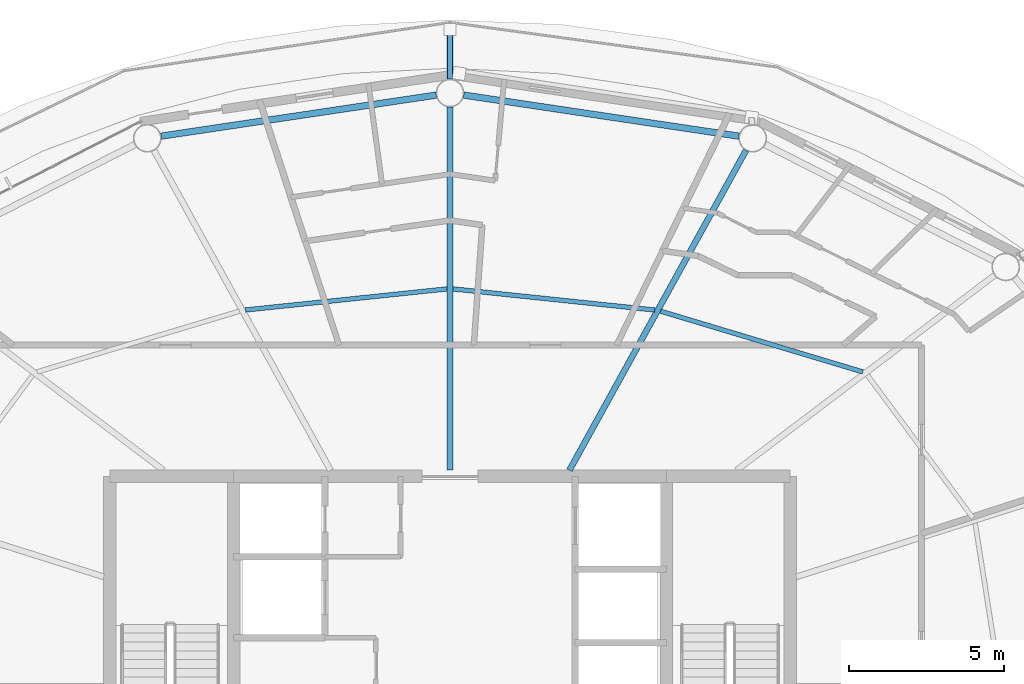
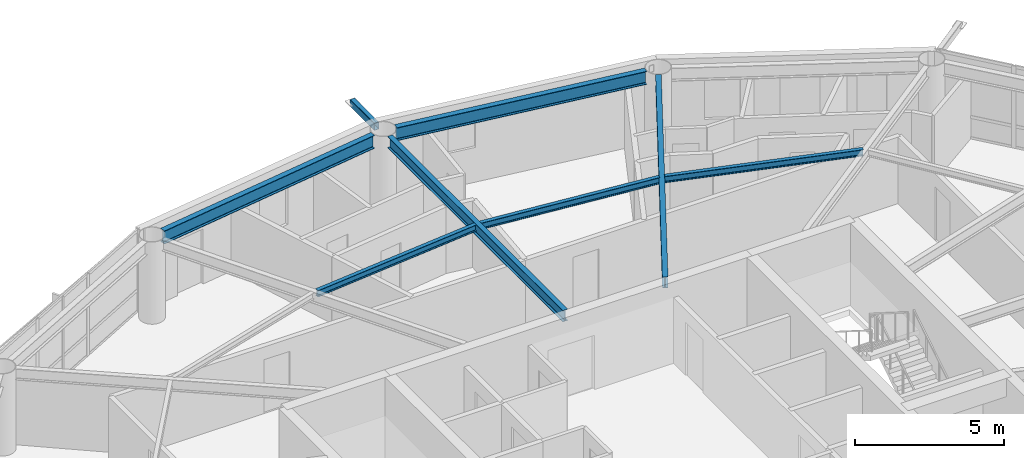
# One storey, part 10 of 23: 7 beams, 1 member.
"""IFC4 building model written with IfcOpenShell, lengths in metres."""

from ifc_helpers import new_model, si_unit, direction, frame, origin, origin_2d, place, context, subcontext, project, spatial, hollow_rectangle, i_section, extrude, material, material_profile, profile_set, type_object, element, save


model = new_model("IFC4")

# Units and contexts
model_context = context("Model", 3, precision=1e-05, world=origin(), true_north=direction((0.0, 1.0)))
body_context = subcontext(model_context, "Body", "Model", "MODEL_VIEW")
ifc_project = project(units=[si_unit("LENGTHUNIT", "METRE"), si_unit("AREAUNIT", "SQUARE_METRE"), si_unit("VOLUMEUNIT", "CUBIC_METRE"), si_unit("PLANEANGLEUNIT", "RADIAN"), si_unit("MASSUNIT", "GRAM", prefix="KILO")], contexts=[model_context])

# Site, building, storey
site_placement = place(None, origin())
site = spatial("IfcSite", under=ifc_project, at=site_placement, CompositionType="ELEMENT")
building_placement = place(site_placement, origin())
building = spatial("IfcBuilding", under=site, at=building_placement, Name="Sarneth Arch Tower", CompositionType="ELEMENT")
storey_placement = place(building_placement, frame((0.0, 0.0, 224.39990234375)))
storey = spatial("IfcBuildingStorey", under=building, at=storey_placement, Name="L57", CompositionType="ELEMENT", Elevation=224.39990234375)

# Beams
ifc_material_1 = material(Name="Steel S355", Category="steel")
ifc_material_profile_1 = material_profile(ifc_material_1, i_section(OverallWidth=0.14794921875, OverallDepth=0.26611328125, WebThickness=0.007568359375, FlangeThickness=0.012939453125, FilletRadius=0.012939453125, at=origin_2d()), Name="W250x44.8")
ifc_profile_set_1 = profile_set([ifc_material_profile_1], Name="Steel S355")
beam_type_1 = type_object("IfcBeamType", Name="BM-JOIST-250", PredefinedType="JOIST", material=ifc_profile_set_1)
beam_1_placement = place(storey_placement, frame((61.35009765625, 52.18017578125, 3.22705078125), z_axis=(-0.957725851155, 0.287682453461, 0.0), x_axis=(-0.287682453461, -0.957725851155, 0.0)))
element("IfcBeam", 1, at=beam_1_placement, inside=storey, type_object=beam_type_1, Name="L57 Secondary floor joist 03", PredefinedType="JOIST", context=body_context, shape_type="SweptSolid", body=[
    extrude(i_section(OverallWidth=0.14794921875, OverallDepth=0.26611328125, WebThickness=0.007568359375, FlangeThickness=0.012939453125, FilletRadius=0.012939453125, at=origin_2d()), origin(), (0.0, 0.0, 1.0), 6.828125),
])
for number, where, z_axis, x_axis, name in (
    (2, (54.623046875, 54.18212890625, 3.22705078125), (-0.994572713015, 0.104043829835, 0.0), (-0.104043829835, -0.994572713015, 0.0), "L57 Secondary floor joist 04"),
    (3, (47.904541015625, 54.864990234375, 3.22705078125), (-0.994572713015, -0.104043829835, 0.0), (0.104043829835, -0.994572713015, 0.0), "L57 Secondary floor joist 05"),
):
    element("IfcBeam", number, at=place(storey_placement, frame(where, z_axis=z_axis, x_axis=x_axis)), inside=storey, type_object=beam_type_1, Name=name, PredefinedType="JOIST", context=body_context, shape_type="SweptSolid", body=[
        extrude(i_section(OverallWidth=0.14794921875, OverallDepth=0.26611328125, WebThickness=0.007568359375, FlangeThickness=0.012939453125, FilletRadius=0.012939453125, at=origin_2d()), origin(), (0.0, 0.0, 1.0), 6.563232421875),
    ])
ifc_material_2 = material(Name="Steel S355", Category="steel")
ifc_material_profile_2 = material_profile(ifc_material_2, i_section(OverallWidth=0.19189453125, OverallDepth=0.462890625, WebThickness=0.010498046875, FlangeThickness=0.017578125, FilletRadius=0.01806640625, at=origin_2d()), Name="W460x89")
ifc_profile_set_2 = profile_set([ifc_material_profile_2], Name="Steel S355")
beam_type_2 = type_object("IfcBeamType", Name="BM-RAD-460B", PredefinedType="BEAM", material=ifc_profile_set_2)
beam_2_placement = place(storey_placement, frame((51.86376953125, 49.0, 3.128662109375), z_axis=(0.483218265038, 0.875499919094, 0.0), x_axis=(-0.875499919094, 0.483218265038, 0.0)))
element("IfcBeam", 4, at=beam_2_placement, inside=storey, type_object=beam_type_2, Name="L57 Radial floor girder 04", PredefinedType="BEAM", context=body_context, shape_type="SweptSolid", body=[
    extrude(i_section(OverallWidth=0.19189453125, OverallDepth=0.462890625, WebThickness=0.010498046875, FlangeThickness=0.017578125, FilletRadius=0.01806640625, at=origin_2d()), origin(), (0.0, 0.0, 1.0), 11.8154296875),
])
beam_3_placement = place(storey_placement, frame((48.0, 49.0, 3.128662109375), z_axis=(0.0, 1.0, 0.0), x_axis=(-1.0, 0.0, 0.0)))
element("IfcBeam", 5, at=beam_3_placement, inside=storey, type_object=beam_type_2, Name="L57 Radial floor girder 05", PredefinedType="BEAM", context=body_context, shape_type="SweptSolid", body=[
    extrude(i_section(OverallWidth=0.19189453125, OverallDepth=0.462890625, WebThickness=0.010498046875, FlangeThickness=0.017578125, FilletRadius=0.01806640625, at=origin_2d()), origin(), (0.0, 0.0, 1.0), 11.75),
])
ifc_material_3 = material(Name="Steel S355", Category="steel")
ifc_material_profile_3 = material_profile(ifc_material_3, i_section(OverallWidth=0.2109375, OverallDepth=0.5390625, WebThickness=0.01171875, FlangeThickness=0.018798828125, FilletRadius=0.01806640625, at=origin_2d()), Name="W530x109")
ifc_profile_set_3 = profile_set([ifc_material_profile_3], Name="Steel S355")
beam_type_3 = type_object("IfcBeamType", Name="BM-RAD-530B", PredefinedType="BEAM", material=ifc_profile_set_3)
for number, where, z_axis, x_axis, name in (
    (6, (57.345703125, 59.804931640625, 3.090576171875), (-0.989041765772, 0.147635990052, 0.0), (-0.147635990052, -0.989041765772, 0.0), "L57 Perimeter spandrel beam 04"),
    (7, (47.554931640625, 61.133544921875, 3.090576171875), (-0.989041765772, -0.147635990052, 0.0), (0.147635990052, -0.989041765772, 0.0), "L57 Perimeter spandrel beam 05"),
):
    element("IfcBeam", number, at=place(storey_placement, frame(where, z_axis=z_axis, x_axis=x_axis)), inside=storey, type_object=beam_type_3, Name=name, PredefinedType="BEAM", context=body_context, shape_type="SweptSolid", body=[
        extrude(i_section(OverallWidth=0.2109375, OverallDepth=0.5390625, WebThickness=0.01171875, FlangeThickness=0.018798828125, FilletRadius=0.01806640625, at=origin_2d()), origin(), (0.0, 0.0, 1.0), 8.999267578125),
    ])

# Member
ifc_material_4 = material(Name="Steel S355", Category="steel")
ifc_material_profile_4 = material_profile(ifc_material_4, hollow_rectangle(XDim=0.199951171875, YDim=0.300048828125, WallThickness=0.012451171875, InnerFilletRadius=0.018798828125, OuterFilletRadius=0.03125, at=origin_2d()), Name="RHS300x200x12.5")
ifc_profile_set_4 = profile_set([ifc_material_profile_4], Name="Steel S355")
member_type = type_object("IfcMemberType", Name="MEM-CANT-STRUT", PredefinedType="STRUT", material=ifc_profile_set_4)
member_placement = place(storey_placement, frame((48.0, 61.64990234375, 3.2001953125), z_axis=(0.0, 1.0, 0.0), x_axis=(-1.0, 0.0, 0.0)))
element("IfcMember", 8, at=member_placement, inside=storey, type_object=member_type, Name="L57 Balcony cantilever bracket 05", PredefinedType="STRUT", context=body_context, shape_type="SweptSolid", body=[
    extrude(hollow_rectangle(XDim=0.199951171875, YDim=0.300048828125, WallThickness=0.012451171875, InnerFilletRadius=0.018798828125, OuterFilletRadius=0.03125, at=origin_2d()), origin(), (0.0, 0.0, 1.0), 1.608154296875),
])

save(model, "model.ifc")
